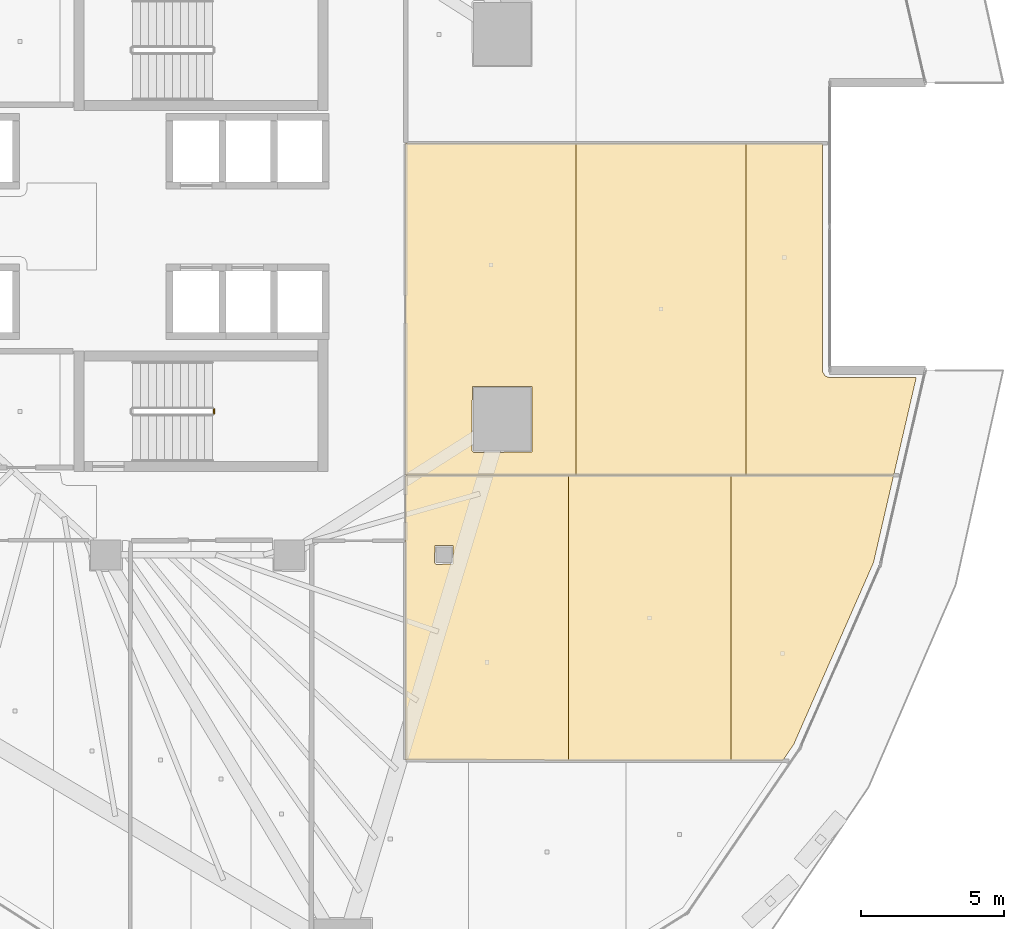
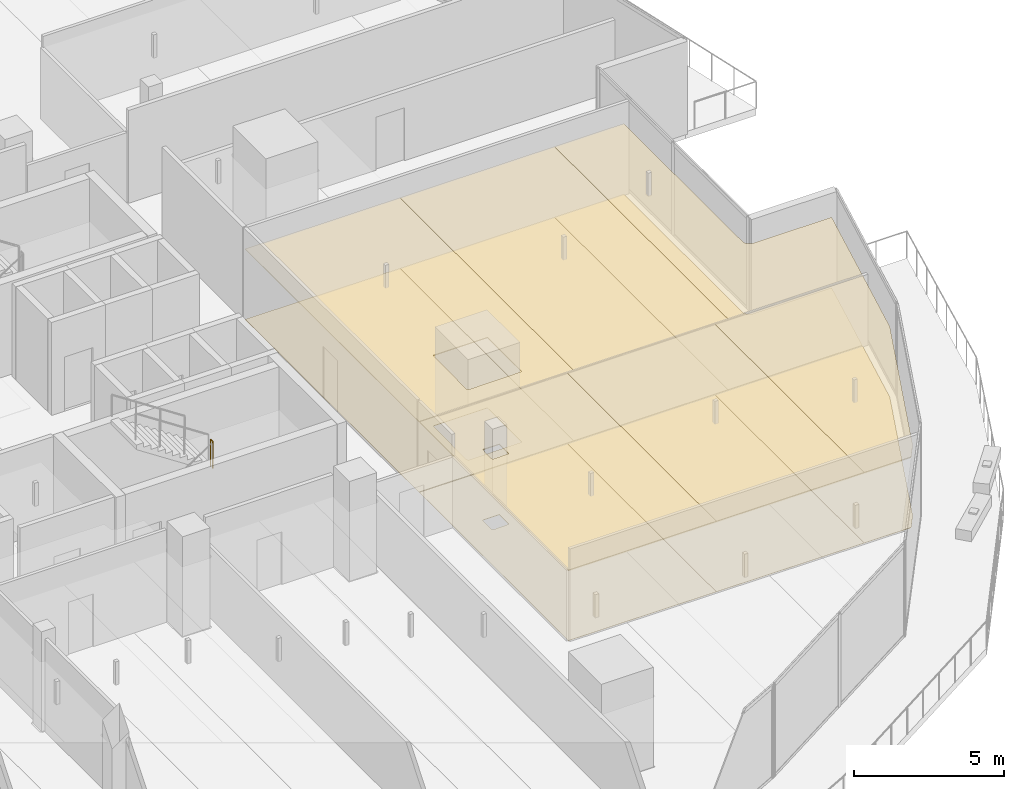
# One storey, part 42 of 45: 12 coverings, 1 railing.
"""IFC4 building model written with IfcOpenShell, lengths in metres."""

import ifcopenshell
import ifcopenshell.guid

model = None  # the IFC model being written
_history = None  # IfcOwnerHistory: only IFC2X3 demands one
_inside = {}  # id of a spatial element -> (the spatial element, [elements in it])
_under = {}  # id of a project, library or spatial element -> (it, [spatial elements below it])
_declared = {}  # id of a project -> (the project, [libraries it declares])
_typed = {}  # id of a type object -> (the type object, [elements of that type])
_made_of = {}  # id of a material, layer set ... -> (it, [elements and type objects made of it])


def new_model(schema):
    """Start an empty IFC model of exactly this schema.

    Asked for "IFC4X3", IfcOpenShell would pick the latest addendum, in which some entities
    have other attributes; the version numbers below select the first issue.
    IFC2X3 requires an IfcOwnerHistory on every rooted entity: one is made here for all.
    """
    global model, _history
    if schema == "IFC4X3":
        model = ifcopenshell.file(schema_version=(4, 3, 0, 0))
    else:
        model = ifcopenshell.file(schema=schema)
    _inside.clear()
    _under.clear()
    _declared.clear()
    _typed.clear()
    _made_of.clear()
    _history = None
    if model.schema == "IFC2X3":
        org = make("IfcOrganization", Name="unknown")
        user = make(
            "IfcPersonAndOrganization",
            ThePerson=make("IfcPerson", FamilyName="unknown"),
            TheOrganization=org,
        )
        app = make(
            "IfcApplication",
            ApplicationDeveloper=org,
            Version="unknown",
            ApplicationFullName="unknown",
            ApplicationIdentifier="unknown",
        )
        _history = make(
            "IfcOwnerHistory",
            OwningUser=user,
            OwningApplication=app,
            ChangeAction="ADDED",
            CreationDate=0,
        )
    return model


def make(cls, **values):
    """One entity of the class cls with the attributes given. An attribute that is None is left unset."""
    return model.create_entity(
        cls, **{name: value for name, value in values.items() if value is not None}
    )


def rooted(cls, **values):
    """An entity with a GlobalId (a new one), such as an element, a storey or a relation."""
    return make(cls, GlobalId=ifcopenshell.guid.new(), OwnerHistory=_history, **values)


def si_unit(unit_type, name, prefix=None):
    """IfcSIUnit, for example si_unit("LENGTHUNIT", "METRE", prefix="MILLI")."""
    return make("IfcSIUnit", UnitType=unit_type, Prefix=prefix, Name=name)


def assignment(units):
    """IfcUnitAssignment: the units of a project."""
    return None if units is None else make("IfcUnitAssignment", Units=units)


def point(xyz):
    """IfcCartesianPoint."""
    return None if xyz is None else make("IfcCartesianPoint", Coordinates=xyz)


def direction(xyz):
    """IfcDirection."""
    return None if xyz is None else make("IfcDirection", DirectionRatios=xyz)


def frame(location, z_axis=None, x_axis=None):
    """IfcAxis2Placement3D, a coordinate frame: its origin and axes. An axis left out is left unset."""
    return make(
        "IfcAxis2Placement3D",
        Location=point(location),
        Axis=direction(z_axis),
        RefDirection=direction(x_axis),
    )


def frame_2d(location, x_axis=None):
    """IfcAxis2Placement2D, a coordinate frame in the plane: its origin and x axis."""
    return make(
        "IfcAxis2Placement2D", Location=point(location), RefDirection=direction(x_axis)
    )


def origin():
    """The frame at (0, 0, 0) with its axes left unset."""
    return frame((0.0, 0.0, 0.0))


def origin_2d():
    """The frame at (0, 0) in the plane with its x axis left unset."""
    return frame_2d((0.0, 0.0))


def place(relative_to, where):
    """IfcLocalPlacement: puts the frame where relative to a parent placement (None: the world)."""
    return make(
        "IfcLocalPlacement", PlacementRelTo=relative_to, RelativePlacement=where
    )


def context(
    kind, dimensions, precision=None, world=None, true_north=None, identifier=None
):
    """IfcGeometricRepresentationContext, for example the 3D "Model" context."""
    return make(
        "IfcGeometricRepresentationContext",
        ContextIdentifier=identifier,
        ContextType=kind,
        CoordinateSpaceDimension=dimensions,
        Precision=precision,
        WorldCoordinateSystem=world,
        TrueNorth=true_north,
    )


def subcontext(parent, identifier, kind, view, scale=None):
    """IfcGeometricRepresentationSubContext, for example "Body" below "Model"."""
    return make(
        "IfcGeometricRepresentationSubContext",
        ContextIdentifier=identifier,
        ContextType=kind,
        ParentContext=parent,
        TargetScale=scale,
        TargetView=view,
    )


def project(units=None, contexts=None):
    """IfcProject with its units and contexts."""
    return rooted(
        "IfcProject",
        Name="project",
        RepresentationContexts=contexts,
        UnitsInContext=assignment(units),
    )


def spatial(cls, under=None, at=None, **own):
    """A site, building, storey or space (cls), placed at a placement, below another one or the project."""
    s = rooted(cls, ObjectPlacement=at, **own)
    if under is not None:
        _under.setdefault(under.id(), (under, []))[1].append(s)
    return s


def polyline(points):
    """IfcPolyline through the points."""
    return make("IfcPolyline", Points=[point(p) for p in points])


def profile(cls, at=None, kind="AREA", **sizes):
    """A parametric profile (cls). Its sizes go by their IFC names, for example OverallWidth=200.0."""
    return make(cls, ProfileType=kind, Position=at, **sizes)


def circle(**sizes):
    """IfcCircleProfileDef."""
    return profile("IfcCircleProfileDef", **sizes)


def outline(outer, holes=None, kind="AREA"):
    """IfcArbitraryClosedProfileDef: a profile drawn as a closed curve; with holes, ...WithVoids."""
    if holes is None:
        return make("IfcArbitraryClosedProfileDef", ProfileType=kind, OuterCurve=outer)
    return make(
        "IfcArbitraryProfileDefWithVoids",
        ProfileType=kind,
        OuterCurve=outer,
        InnerCurves=holes,
    )


def extrude(swept, where, along, depth):
    """IfcExtrudedAreaSolid: the profile swept, set in the frame where, extruded along a direction by depth."""
    return make(
        "IfcExtrudedAreaSolid",
        SweptArea=swept,
        Position=where,
        ExtrudedDirection=direction(along),
        Depth=depth,
    )


def shape(context_of_items, identifier, shape_type, items):
    """IfcShapeRepresentation: the items that make up one representation, for example the "Body"."""
    return make(
        "IfcShapeRepresentation",
        ContextOfItems=context_of_items,
        RepresentationIdentifier=identifier,
        RepresentationType=shape_type,
        Items=items,
    )


def material(Name=None, Category=None):
    """IfcMaterial."""
    return make("IfcMaterial", Name=Name, Category=Category)


def layer(
    of_material, thickness, ventilated=None, Name=None, Category=None, Priority=None
):
    """IfcMaterialLayer: one layer of a wall or slab, of a material (None: an air gap)."""
    return make(
        "IfcMaterialLayer",
        Material=of_material,
        LayerThickness=thickness,
        IsVentilated=ventilated,
        Name=Name,
        Category=Category,
        Priority=Priority,
    )


def layer_set(layers, Name=None):
    """IfcMaterialLayerSet."""
    return make("IfcMaterialLayerSet", MaterialLayers=layers, LayerSetName=Name)


def made_of(thing, what):
    """Note that an element or type object is made of a material, layer set ...; save() writes the relation."""
    if what is not None:
        _made_of.setdefault(what.id(), (what, []))[1].append(thing)
    return thing


def type_object(cls, material=None, **own):
    """A type object (cls), such as IfcWallType, which elements share."""
    return made_of(rooted(cls, **own), material)


def element(
    cls,
    number,
    at=None,
    inside=None,
    cuts=None,
    type_object=None,
    material=None,
    context=None,
    identifier="Body",
    shape_type=None,
    held_by="IfcProductDefinitionShape",
    body=None,
    shapes=None,
    **own,
):
    """One element of the class cls, such as IfcWall. Its Tag is "e" and its number.

    at: its placement. inside: the storey or other place that contains it. cuts: it is an
    opening in that element (IfcRelVoidsElement). A single representation is given by context,
    identifier, shape_type and body (its items); several are given by shapes. held_by: the class
    of the entity that holds the representations. save() writes the other relations.
    """
    e = rooted(cls, Tag="e%d" % number, ObjectPlacement=at, **own)
    if body is not None:
        shapes = [shape(context, identifier, shape_type, body)]
    if shapes is not None:
        e.Representation = make(held_by, Representations=shapes)
    if inside is not None:
        _inside.setdefault(inside.id(), (inside, []))[1].append(e)
    if cuts is not None:
        rooted(
            "IfcRelVoidsElement", RelatingBuildingElement=cuts, RelatedOpeningElement=e
        )
    if type_object is not None:
        _typed.setdefault(type_object.id(), (type_object, []))[1].append(e)
    return made_of(e, material)


def aggregate(whole, parts):
    """IfcRelAggregates: a whole, such as a stair, and the parts it consists of."""
    return rooted("IfcRelAggregates", RelatingObject=whole, RelatedObjects=parts)


def save(model, path):
    """Write the relations noted so far, then the file.

    IfcRelAggregates (storeys below a building ...), IfcRelContainedInSpatialStructure (elements
    in a storey), IfcRelDefinesByType, IfcRelAssociatesMaterial and IfcRelDeclares: one each for
    every whole, place, type object, material and project.
    """
    for whole, parts in _under.values():
        aggregate(whole, parts)
    for where, things in _inside.values():
        rooted(
            "IfcRelContainedInSpatialStructure",
            RelatedElements=things,
            RelatingStructure=where,
        )
    for kind, things in _typed.values():
        rooted("IfcRelDefinesByType", RelatedObjects=things, RelatingType=kind)
    for what, things in _made_of.values():
        rooted("IfcRelAssociatesMaterial", RelatedObjects=things, RelatingMaterial=what)
    for by, libraries in _declared.values():
        rooted("IfcRelDeclares", RelatingContext=by, RelatedDefinitions=libraries)
    model.write(path)


model = new_model("IFC4")

# Units and contexts
model_context = context("Model", 3, precision=1e-05, world=origin(), true_north=direction((0.0, 1.0)))
body_context = subcontext(model_context, "Body", "Model", "MODEL_VIEW")
ifc_project = project(units=[si_unit("LENGTHUNIT", "METRE"), si_unit("AREAUNIT", "SQUARE_METRE"), si_unit("VOLUMEUNIT", "CUBIC_METRE"), si_unit("PLANEANGLEUNIT", "RADIAN"), si_unit("MASSUNIT", "GRAM", prefix="KILO")], contexts=[model_context])

# Site, building, storey
site_placement = place(None, origin())
site = spatial("IfcSite", under=ifc_project, at=site_placement, CompositionType="ELEMENT")
building_placement = place(site_placement, origin())
building = spatial("IfcBuilding", under=site, at=building_placement, Name="Qorvath Tower", CompositionType="ELEMENT")
storey_placement = place(building_placement, frame((0.0, 0.0, 109.800048828125)))
storey = spatial("IfcBuildingStorey", under=building, at=storey_placement, Name="L24", CompositionType="ELEMENT", Elevation=109.800048828125)

# Coverings
ifc_material_1 = material(Name="Acoustic mineral fibre ceiling tile", Category="gypsum")
ifc_layer_1 = layer(ifc_material_1, 0.030029296875)
ifc_layer_set_1 = layer_set([ifc_layer_1], Name="COV-CEIL")
covering_type_1 = type_object("IfcCoveringType", Name="COV-CEIL", PredefinedType="CEILING", material=ifc_layer_set_1)
covering_1_placement = place(storey_placement, frame((0.0, 0.0, 2.849853515625)))
element("IfcCovering", 1, at=covering_1_placement, inside=storey, type_object=covering_type_1, Name="L24 Suspended Acoustic Ceiling 033", PredefinedType="CEILING", context=body_context, shape_type="SweptSolid", body=[
    extrude(outline(polyline([(-13.136962890625, -18.607421875), (-7.46484375, -18.615234375), (-7.46484375, -8.68212890625), (-13.136962890625, -8.68212890625), (-13.136962890625, -18.607421875)]), holes=[polyline([(-12.135009765625, -11.72509765625), (-12.117431640625, -11.132568359375), (-11.482666015625, -11.132568359375), (-11.482666015625, -11.767333984375), (-12.074951171875, -11.784912109375), (-12.135009765625, -11.72509765625)])]), origin(), (0.0, 0.0, 1.0), 0.030029296875),
])
covering_2_placement = place(storey_placement, frame((0.0, 0.0, 2.849853515625)))
element("IfcCovering", 2, at=covering_2_placement, inside=storey, type_object=covering_type_1, Name="L24 Suspended Acoustic Ceiling 034", PredefinedType="CEILING", context=body_context, shape_type="SweptSolid", body=[
    extrude(outline(polyline([(-7.46484375, -8.68212890625), (-7.46484375, -18.615234375), (-1.792724609375, -18.623046875), (-1.792724609375, -8.68212890625), (-7.46484375, -8.68212890625)])), origin(), (0.0, 0.0, 1.0), 0.030029296875),
])
covering_3_placement = place(storey_placement, frame((0.0, 0.0, 2.849853515625)))
element("IfcCovering", 3, at=covering_3_placement, inside=storey, type_object=covering_type_1, Name="L24 Suspended Acoustic Ceiling 035", PredefinedType="CEILING", context=body_context, shape_type="SweptSolid", body=[
    extrude(outline(polyline([(-1.792724609375, -8.68212890625), (-1.792724609375, -18.623046875), (0.009765625, -18.625732421875), (0.3984375, -18.056640625), (3.177490234375, -11.71923828125), (3.87939453125, -8.68212890625), (-1.792724609375, -8.68212890625)])), origin(), (0.0, 0.0, 1.0), 0.030029296875),
])
covering_4_placement = place(storey_placement, frame((0.0, 0.0, 2.849853515625)))
element("IfcCovering", 4, at=covering_4_placement, inside=storey, type_object=covering_type_1, Name="L24 Suspended Acoustic Ceiling 036", PredefinedType="CEILING", context=body_context, shape_type="SweptSolid", body=[
    extrude(outline(polyline([(-7.20166015625, -8.6640625), (-7.20166015625, 2.898193359375), (-13.136962890625, 2.898193359375), (-13.136962890625, -8.6640625), (-7.20166015625, -8.6640625)]), holes=[polyline([(-10.830322265625, -7.8212890625), (-10.812744140625, -5.578857421875), (-8.727783203125, -5.578857421875), (-8.727783203125, -7.86376953125), (-10.770263671875, -7.88134765625), (-10.830322265625, -7.8212890625)])]), origin(), (0.0, 0.0, 1.0), 0.030029296875),
])
covering_5_placement = place(storey_placement, frame((0.0, 0.0, 2.849853515625)))
element("IfcCovering", 5, at=covering_5_placement, inside=storey, type_object=covering_type_1, Name="L24 Suspended Acoustic Ceiling 037", PredefinedType="CEILING", context=body_context, shape_type="SweptSolid", body=[
    extrude(outline(polyline([(-1.266357421875, -8.6640625), (-1.266357421875, 2.898193359375), (-7.20166015625, 2.898193359375), (-7.20166015625, -8.6640625), (-1.266357421875, -8.6640625)])), origin(), (0.0, 0.0, 1.0), 0.030029296875),
])
covering_6_placement = place(storey_placement, frame((0.0, 0.0, 2.849853515625)))
element("IfcCovering", 6, at=covering_6_placement, inside=storey, type_object=covering_type_1, Name="L24 Suspended Acoustic Ceiling 038", PredefinedType="CEILING", context=body_context, shape_type="SweptSolid", body=[
    extrude(outline(polyline([(1.48583984375, -5.20703125), (1.3984375, -5.06005859375), (1.393798828125, 2.898193359375), (-1.266357421875, 2.898193359375), (-1.266357421875, -8.6640625), (3.883544921875, -8.6640625), (4.6689453125, -5.26611328125), (1.624267578125, -5.264892578125), (1.48583984375, -5.20703125)])), origin(), (0.0, 0.0, 1.0), 0.030029296875),
])
ifc_material_2 = material(Name="Low-VOC modular carpet tile", Category="textile")
ifc_layer_2 = layer(ifc_material_2, 0.014892578125)
ifc_layer_set_2 = layer_set([ifc_layer_2], Name="COV-FLOOR-CPT")
covering_type_2 = type_object("IfcCoveringType", Name="COV-FLOOR-CPT", PredefinedType="FLOORING", material=ifc_layer_set_2)
covering_7_placement = place(storey_placement, origin())
element("IfcCovering", 7, at=covering_7_placement, inside=storey, type_object=covering_type_2, Name="L24 Floor Finish 033", PredefinedType="FLOORING", context=body_context, shape_type="SweptSolid", body=[
    extrude(outline(polyline([(-13.136962890625, -18.607421875), (-7.46484375, -18.615234375), (-7.46484375, -8.68212890625), (-13.136962890625, -8.68212890625), (-13.136962890625, -18.607421875)]), holes=[polyline([(-12.135009765625, -11.72509765625), (-12.117431640625, -11.132568359375), (-11.482666015625, -11.132568359375), (-11.482666015625, -11.767333984375), (-12.074951171875, -11.784912109375), (-12.135009765625, -11.72509765625)])]), origin(), (0.0, 0.0, 1.0), 0.014892578125),
])
covering_8_placement = place(storey_placement, origin())
element("IfcCovering", 8, at=covering_8_placement, inside=storey, type_object=covering_type_2, Name="L24 Floor Finish 034", PredefinedType="FLOORING", context=body_context, shape_type="SweptSolid", body=[
    extrude(outline(polyline([(-7.46484375, -8.68212890625), (-7.46484375, -18.615234375), (-1.792724609375, -18.623046875), (-1.792724609375, -8.68212890625), (-7.46484375, -8.68212890625)])), origin(), (0.0, 0.0, 1.0), 0.014892578125),
])
covering_9_placement = place(storey_placement, origin())
element("IfcCovering", 9, at=covering_9_placement, inside=storey, type_object=covering_type_2, Name="L24 Floor Finish 035", PredefinedType="FLOORING", context=body_context, shape_type="SweptSolid", body=[
    extrude(outline(polyline([(-1.792724609375, -8.68212890625), (-1.792724609375, -18.623046875), (0.009765625, -18.625732421875), (0.3984375, -18.056640625), (3.177490234375, -11.71923828125), (3.87939453125, -8.68212890625), (-1.792724609375, -8.68212890625)])), origin(), (0.0, 0.0, 1.0), 0.014892578125),
])
covering_10_placement = place(storey_placement, origin())
element("IfcCovering", 10, at=covering_10_placement, inside=storey, type_object=covering_type_2, Name="L24 Floor Finish 036", PredefinedType="FLOORING", context=body_context, shape_type="SweptSolid", body=[
    extrude(outline(polyline([(-7.20166015625, -8.6640625), (-7.20166015625, 2.898193359375), (-13.136962890625, 2.898193359375), (-13.136962890625, -8.6640625), (-7.20166015625, -8.6640625)]), holes=[polyline([(-10.830322265625, -7.8212890625), (-10.812744140625, -5.578857421875), (-8.727783203125, -5.578857421875), (-8.727783203125, -7.86376953125), (-10.770263671875, -7.88134765625), (-10.830322265625, -7.8212890625)])]), origin(), (0.0, 0.0, 1.0), 0.014892578125),
])
covering_11_placement = place(storey_placement, origin())
element("IfcCovering", 11, at=covering_11_placement, inside=storey, type_object=covering_type_2, Name="L24 Floor Finish 037", PredefinedType="FLOORING", context=body_context, shape_type="SweptSolid", body=[
    extrude(outline(polyline([(-1.266357421875, -8.6640625), (-1.266357421875, 2.898193359375), (-7.20166015625, 2.898193359375), (-7.20166015625, -8.6640625), (-1.266357421875, -8.6640625)])), origin(), (0.0, 0.0, 1.0), 0.014892578125),
])
covering_12_placement = place(storey_placement, origin())
element("IfcCovering", 12, at=covering_12_placement, inside=storey, type_object=covering_type_2, Name="L24 Floor Finish 038", PredefinedType="FLOORING", context=body_context, shape_type="SweptSolid", body=[
    extrude(outline(polyline([(1.48583984375, -5.20703125), (1.3984375, -5.06005859375), (1.393798828125, 2.898193359375), (-1.266357421875, 2.898193359375), (-1.266357421875, -8.6640625), (3.883544921875, -8.6640625), (4.6689453125, -5.26611328125), (1.624267578125, -5.264892578125), (1.48583984375, -5.20703125)])), origin(), (0.0, 0.0, 1.0), 0.014892578125),
])

# Railing
ifc_material_3 = material(Name="Painted galvanised steel", Category="steel")
railing_type = type_object("IfcRailingType", Name="RL-STR-GRD", PredefinedType="GUARDRAIL", material=ifc_material_3)
railing_placement = place(storey_placement, frame((-19.820068359375, -6.52001953125, 2.02490234375)))
element("IfcRailing", 13, at=railing_placement, inside=storey, type_object=railing_type, Name="L24 TS2 stair guard 2", PredefinedType="GUARDRAIL", context=body_context, shape_type="SweptSolid", body=[
    extrude(circle(Radius=0.02392578125, at=origin_2d()), frame((0.0, 0.0, 1.076171875), z_axis=(0.0, 1.0, 0.0), x_axis=(-1.0, 0.0, 0.0)), (0.0, 0.0, 1.0), 0.14990234375),
    extrude(circle(Radius=0.02099609375, at=origin_2d()), origin(), (0.0, 0.0, 1.0), 1.052001953125),
    extrude(circle(Radius=0.02099609375, at=origin_2d()), frame((0.0, 0.14990234375, 0.0)), (0.0, 0.0, 1.0), 1.052001953125),
])

save(model, "model.ifc")
